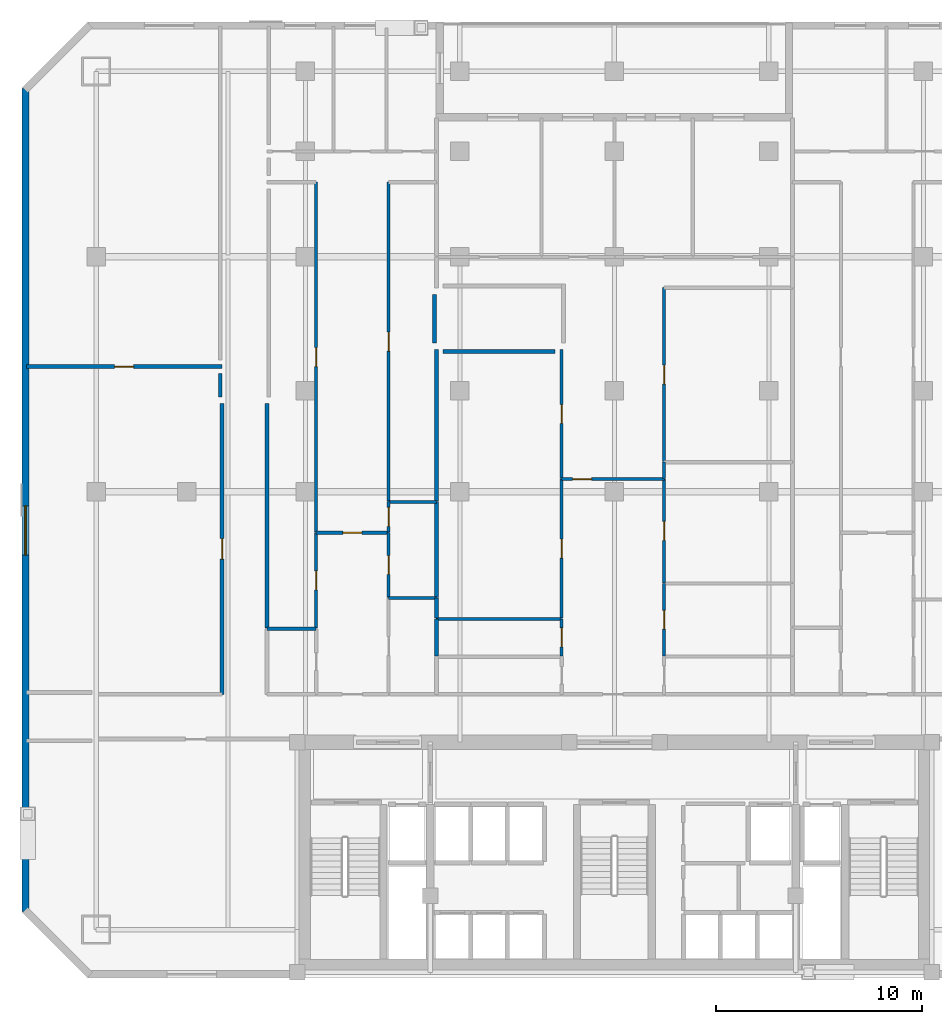
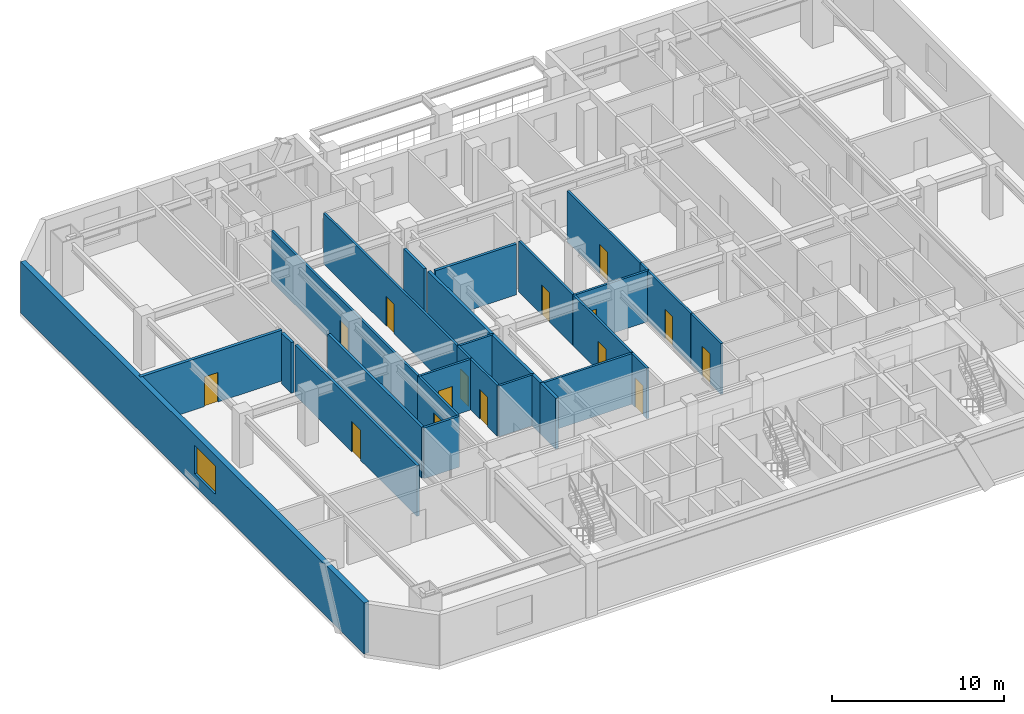
# One storey, part 4 of 9: 29 walls, 15 doors, 1 window, 16 openings.
"""IFC4 building model written with IfcOpenShell, lengths in metres."""

import ifcopenshell
import ifcopenshell.guid

model = None  # the IFC model being written
_history = None  # IfcOwnerHistory: only IFC2X3 demands one
_inside = {}  # id of a spatial element -> (the spatial element, [elements in it])
_under = {}  # id of a project, library or spatial element -> (it, [spatial elements below it])
_declared = {}  # id of a project -> (the project, [libraries it declares])
_typed = {}  # id of a type object -> (the type object, [elements of that type])
_made_of = {}  # id of a material, layer set ... -> (it, [elements and type objects made of it])


def new_model(schema):
    """Start an empty IFC model of exactly this schema.

    Asked for "IFC4X3", IfcOpenShell would pick the latest addendum, in which some entities
    have other attributes; the version numbers below select the first issue.
    IFC2X3 requires an IfcOwnerHistory on every rooted entity: one is made here for all.
    """
    global model, _history
    if schema == "IFC4X3":
        model = ifcopenshell.file(schema_version=(4, 3, 0, 0))
    else:
        model = ifcopenshell.file(schema=schema)
    _inside.clear()
    _under.clear()
    _declared.clear()
    _typed.clear()
    _made_of.clear()
    _history = None
    if model.schema == "IFC2X3":
        org = make("IfcOrganization", Name="unknown")
        user = make(
            "IfcPersonAndOrganization",
            ThePerson=make("IfcPerson", FamilyName="unknown"),
            TheOrganization=org,
        )
        app = make(
            "IfcApplication",
            ApplicationDeveloper=org,
            Version="unknown",
            ApplicationFullName="unknown",
            ApplicationIdentifier="unknown",
        )
        _history = make(
            "IfcOwnerHistory",
            OwningUser=user,
            OwningApplication=app,
            ChangeAction="ADDED",
            CreationDate=0,
        )
    return model


def make(cls, **values):
    """One entity of the class cls with the attributes given. An attribute that is None is left unset."""
    return model.create_entity(
        cls, **{name: value for name, value in values.items() if value is not None}
    )


def rooted(cls, **values):
    """An entity with a GlobalId (a new one), such as an element, a storey or a relation."""
    return make(cls, GlobalId=ifcopenshell.guid.new(), OwnerHistory=_history, **values)


def si_unit(unit_type, name, prefix=None):
    """IfcSIUnit, for example si_unit("LENGTHUNIT", "METRE", prefix="MILLI")."""
    return make("IfcSIUnit", UnitType=unit_type, Prefix=prefix, Name=name)


def assignment(units):
    """IfcUnitAssignment: the units of a project."""
    return None if units is None else make("IfcUnitAssignment", Units=units)


def point(xyz):
    """IfcCartesianPoint."""
    return None if xyz is None else make("IfcCartesianPoint", Coordinates=xyz)


def direction(xyz):
    """IfcDirection."""
    return None if xyz is None else make("IfcDirection", DirectionRatios=xyz)


def frame(location, z_axis=None, x_axis=None):
    """IfcAxis2Placement3D, a coordinate frame: its origin and axes. An axis left out is left unset."""
    return make(
        "IfcAxis2Placement3D",
        Location=point(location),
        Axis=direction(z_axis),
        RefDirection=direction(x_axis),
    )


def frame_2d(location, x_axis=None):
    """IfcAxis2Placement2D, a coordinate frame in the plane: its origin and x axis."""
    return make(
        "IfcAxis2Placement2D", Location=point(location), RefDirection=direction(x_axis)
    )


def origin():
    """The frame at (0, 0, 0) with its axes left unset."""
    return frame((0.0, 0.0, 0.0))


def place(relative_to, where):
    """IfcLocalPlacement: puts the frame where relative to a parent placement (None: the world)."""
    return make(
        "IfcLocalPlacement", PlacementRelTo=relative_to, RelativePlacement=where
    )


def context(
    kind, dimensions, precision=None, world=None, true_north=None, identifier=None
):
    """IfcGeometricRepresentationContext, for example the 3D "Model" context."""
    return make(
        "IfcGeometricRepresentationContext",
        ContextIdentifier=identifier,
        ContextType=kind,
        CoordinateSpaceDimension=dimensions,
        Precision=precision,
        WorldCoordinateSystem=world,
        TrueNorth=true_north,
    )


def subcontext(parent, identifier, kind, view, scale=None):
    """IfcGeometricRepresentationSubContext, for example "Body" below "Model"."""
    return make(
        "IfcGeometricRepresentationSubContext",
        ContextIdentifier=identifier,
        ContextType=kind,
        ParentContext=parent,
        TargetScale=scale,
        TargetView=view,
    )


def project(units=None, contexts=None):
    """IfcProject with its units and contexts."""
    return rooted(
        "IfcProject",
        Name="project",
        RepresentationContexts=contexts,
        UnitsInContext=assignment(units),
    )


def spatial(cls, under=None, at=None, **own):
    """A site, building, storey or space (cls), placed at a placement, below another one or the project."""
    s = rooted(cls, ObjectPlacement=at, **own)
    if under is not None:
        _under.setdefault(under.id(), (under, []))[1].append(s)
    return s


def profile(cls, at=None, kind="AREA", **sizes):
    """A parametric profile (cls). Its sizes go by their IFC names, for example OverallWidth=200.0."""
    return make(cls, ProfileType=kind, Position=at, **sizes)


def rectangle(**sizes):
    """IfcRectangleProfileDef."""
    return profile("IfcRectangleProfileDef", **sizes)


def extrude(swept, where, along, depth):
    """IfcExtrudedAreaSolid: the profile swept, set in the frame where, extruded along a direction by depth."""
    return make(
        "IfcExtrudedAreaSolid",
        SweptArea=swept,
        Position=where,
        ExtrudedDirection=direction(along),
        Depth=depth,
    )


def shape(context_of_items, identifier, shape_type, items):
    """IfcShapeRepresentation: the items that make up one representation, for example the "Body"."""
    return make(
        "IfcShapeRepresentation",
        ContextOfItems=context_of_items,
        RepresentationIdentifier=identifier,
        RepresentationType=shape_type,
        Items=items,
    )


def material(Name=None, Category=None):
    """IfcMaterial."""
    return make("IfcMaterial", Name=Name, Category=Category)


def layer(
    of_material, thickness, ventilated=None, Name=None, Category=None, Priority=None
):
    """IfcMaterialLayer: one layer of a wall or slab, of a material (None: an air gap)."""
    return make(
        "IfcMaterialLayer",
        Material=of_material,
        LayerThickness=thickness,
        IsVentilated=ventilated,
        Name=Name,
        Category=Category,
        Priority=Priority,
    )


def layer_set(layers, Name=None):
    """IfcMaterialLayerSet."""
    return make("IfcMaterialLayerSet", MaterialLayers=layers, LayerSetName=Name)


def made_of(thing, what):
    """Note that an element or type object is made of a material, layer set ...; save() writes the relation."""
    if what is not None:
        _made_of.setdefault(what.id(), (what, []))[1].append(thing)
    return thing


def type_object(cls, material=None, **own):
    """A type object (cls), such as IfcWallType, which elements share."""
    return made_of(rooted(cls, **own), material)


def element(
    cls,
    number,
    at=None,
    inside=None,
    cuts=None,
    type_object=None,
    material=None,
    context=None,
    identifier="Body",
    shape_type=None,
    held_by="IfcProductDefinitionShape",
    body=None,
    shapes=None,
    **own,
):
    """One element of the class cls, such as IfcWall. Its Tag is "e" and its number.

    at: its placement. inside: the storey or other place that contains it. cuts: it is an
    opening in that element (IfcRelVoidsElement). A single representation is given by context,
    identifier, shape_type and body (its items); several are given by shapes. held_by: the class
    of the entity that holds the representations. save() writes the other relations.
    """
    e = rooted(cls, Tag="e%d" % number, ObjectPlacement=at, **own)
    if body is not None:
        shapes = [shape(context, identifier, shape_type, body)]
    if shapes is not None:
        e.Representation = make(held_by, Representations=shapes)
    if inside is not None:
        _inside.setdefault(inside.id(), (inside, []))[1].append(e)
    if cuts is not None:
        rooted(
            "IfcRelVoidsElement", RelatingBuildingElement=cuts, RelatedOpeningElement=e
        )
    if type_object is not None:
        _typed.setdefault(type_object.id(), (type_object, []))[1].append(e)
    return made_of(e, material)


def fill(opening, filler):
    """IfcRelFillsElement: the door or window that sits in an opening."""
    return rooted(
        "IfcRelFillsElement",
        RelatingOpeningElement=opening,
        RelatedBuildingElement=filler,
    )


def aggregate(whole, parts):
    """IfcRelAggregates: a whole, such as a stair, and the parts it consists of."""
    return rooted("IfcRelAggregates", RelatingObject=whole, RelatedObjects=parts)


def save(model, path):
    """Write the relations noted so far, then the file.

    IfcRelAggregates (storeys below a building ...), IfcRelContainedInSpatialStructure (elements
    in a storey), IfcRelDefinesByType, IfcRelAssociatesMaterial and IfcRelDeclares: one each for
    every whole, place, type object, material and project.
    """
    for whole, parts in _under.values():
        aggregate(whole, parts)
    for where, things in _inside.values():
        rooted(
            "IfcRelContainedInSpatialStructure",
            RelatedElements=things,
            RelatingStructure=where,
        )
    for kind, things in _typed.values():
        rooted("IfcRelDefinesByType", RelatedObjects=things, RelatingType=kind)
    for what, things in _made_of.values():
        rooted("IfcRelAssociatesMaterial", RelatedObjects=things, RelatingMaterial=what)
    for by, libraries in _declared.values():
        rooted("IfcRelDeclares", RelatingContext=by, RelatedDefinitions=libraries)
    model.write(path)


model = new_model("IFC4")

# Units and contexts
model_context = context("Model", 3, precision=1e-05, world=origin(), true_north=direction((0.0, 1.0)))
body_context = subcontext(model_context, "Body", "Model", "MODEL_VIEW")
ifc_project = project(units=[si_unit("LENGTHUNIT", "METRE"), si_unit("AREAUNIT", "SQUARE_METRE"), si_unit("VOLUMEUNIT", "CUBIC_METRE"), si_unit("PLANEANGLEUNIT", "RADIAN"), si_unit("MASSUNIT", "GRAM", prefix="KILO")], contexts=[model_context])

# Site, building, storey
site_placement = place(None, origin())
site = spatial("IfcSite", under=ifc_project, at=site_placement, CompositionType="ELEMENT")
building_placement = place(site_placement, origin())
building = spatial("IfcBuilding", under=site, at=building_placement, Name="Ventersveld Concourse Tower", CompositionType="ELEMENT")
storey_placement = place(building_placement, frame((0.0, 0.0, 68.300048828125)))
storey = spatial("IfcBuildingStorey", under=building, at=storey_placement, Name="L16", CompositionType="ELEMENT", Elevation=68.300048828125)

# Wall, opening, door
ifc_material_1 = material(Name="Fire-rated autoclaved aerated masonry blockwork", Category="masonry")
ifc_layer_1 = layer(ifc_material_1, 0.179931640625)
ifc_layer_set_1 = layer_set([ifc_layer_1], Name="Fire-rated autoclaved aerated masonry blockwork")
wall_type_1 = type_object("IfcWallType", Name="WL-CORR-180", PredefinedType="PARTITIONING", material=ifc_layer_set_1)
wall_1_placement = place(storey_placement, frame((9.7099609375, 13.764892578125, 0.0), z_axis=(0.0, 0.0, 1.0), x_axis=(0.0, 1.0, 0.0)))
wall_1 = element("IfcWall", 1, at=wall_1_placement, inside=storey, type_object=wall_type_1, Name="L16 Interior Partition SP-L16-COR-SP-L16-NWLNG1", PredefinedType="PARTITIONING", context=body_context, shape_type="SweptSolid", body=[
    extrude(rectangle(XDim=14.130126953125, YDim=0.179931640625, at=frame_2d((7.06494140625, 0.0))), origin(), (0.0, 0.0, 1.0), 3.599853515625),
])
opening_1_placement = place(wall_1_placement, frame((6.56494140625, 0.0, 0.0)))
opening_1 = element("IfcOpeningElement", 2, at=opening_1_placement, cuts=wall_1, Name="Opening FD3", PredefinedType="OPENING", context=body_context, shape_type="SweptSolid", body=[
    extrude(rectangle(XDim=1.0, YDim=2.14990234375, at=frame_2d((0.5, 1.074951171875))), frame((0.0, 0.10009765625, 0.0), z_axis=(0.0, -1.0, 0.0), x_axis=(1.0, 0.0, 0.0)), (0.0, 0.0, 1.0), 0.199951171875),
])
ifc_material_2 = material(Name="Solid-core hardwood veneer timber", Category="wood")
door_type_1 = type_object("IfcDoorType", Name="DR-FLAT-100", OperationType="NOTDEFINED", PredefinedType="DOOR", material=ifc_material_2)
door_1_placement = place(opening_1_placement, origin())
door_1 = element("IfcDoor", 3, at=door_1_placement, inside=storey, type_object=door_type_1, Name="L16 Interior Door SP-L16-COR to SP-L16-NWLNG1 (D-L16-0727)", OperationType="SINGLE_SWING_LEFT", OverallHeight=2.14990234375, OverallWidth=1.0, PredefinedType="DOOR", context=body_context, shape_type="SweptSolid", body=[
    extrude(rectangle(XDim=1.0, YDim=2.14990234375, at=frame_2d((0.5, 1.074951171875))), frame((0.0, 0.02490234375, 0.0), z_axis=(0.0, -1.0, 0.0), x_axis=(1.0, 0.0, 0.0)), (0.0, 0.0, 1.0), 0.050048828125),
])
fill(opening_1, door_1)

# Walls
wall_2_placement = place(storey_placement, frame((11.889892578125, 16.979248046875, 0.0), z_axis=(0.0, 0.0, 1.0), x_axis=(0.0, 1.0, 0.0)))
element("IfcWall", 4, at=wall_2_placement, inside=storey, type_object=wall_type_1, Name="L16 Interior Partition SP-L16-COR-SP-L16-16CW-OFFL0", PredefinedType="PARTITIONING", context=body_context, shape_type="SweptSolid", body=[
    extrude(rectangle(XDim=10.915771484375, YDim=0.179931640625, at=frame_2d((5.4580078125, 0.0))), origin(), (0.0, 0.0, 1.0), 3.599853515625),
])
wall_3_placement = place(storey_placement, frame((9.6201171875, 29.344970703125, 0.0), z_axis=(0.0, 0.0, 1.0), x_axis=(0.0, -1.0, 0.0)))
element("IfcWall", 5, at=wall_3_placement, inside=storey, type_object=wall_type_1, Name="L16 Room Enclosure Wall SP-L16-NWLNG1", PredefinedType="PARTITIONING", context=body_context, shape_type="SweptSolid", body=[
    extrude(rectangle(XDim=1.135009765625, YDim=0.179931640625, at=frame_2d((0.5673828125, 0.0))), origin(), (0.0, 0.0, 1.0), 3.599853515625),
])
wall_4_placement = place(storey_placement, frame((20.02001953125, 33.18017578125, 0.0), z_axis=(0.0, 0.0, 1.0), x_axis=(0.0, -1.0, 0.0)))
element("IfcWall", 6, at=wall_4_placement, inside=storey, type_object=wall_type_1, Name="L16 Room Enclosure Wall SP-L16-16CW-DENR", PredefinedType="PARTITIONING", context=body_context, shape_type="SweptSolid", body=[
    extrude(rectangle(XDim=2.366455078125, YDim=0.179931640625, at=frame_2d((1.18310546875, 0.0))), origin(), (0.0, 0.0, 1.0), 3.599853515625),
])
wall_5_placement = place(storey_placement, frame((20.43505859375, 30.40380859375, 0.0), z_axis=(0.0, 0.0, 1.0), x_axis=(1.0, 0.0, 0.0)))
element("IfcWall", 7, at=wall_5_placement, inside=storey, type_object=wall_type_1, Name="L16 Room Enclosure Wall SP-L16-16CM-DENL", PredefinedType="PARTITIONING", context=body_context, shape_type="SweptSolid", body=[
    extrude(rectangle(XDim=5.428955078125, YDim=0.179931640625, at=frame_2d((2.71435546875, 0.0))), origin(), (0.0, 0.0, 1.0), 3.599853515625),
])

# Wall, opening, door
ifc_layer_2 = layer(ifc_material_1, 0.199951171875)
ifc_layer_set_2 = layer_set([ifc_layer_2], Name="Fire-rated autoclaved aerated masonry blockwork")
wall_type_2 = type_object("IfcWallType", Name="WL-DEMISE-200", PredefinedType="PARTITIONING", material=ifc_layer_set_2)
wall_6_placement = place(storey_placement, frame((0.2099609375, 29.669921875, 0.0), z_axis=(0.0, 0.0, 1.0), x_axis=(1.0, 0.0, 0.0)))
wall_6 = element("IfcWall", 8, at=wall_6_placement, inside=storey, type_object=wall_type_2, Name="L16 Interior Partition SP-L16-NWLNG1-SP-L16-NWLNG2", PredefinedType="PARTITIONING", context=body_context, shape_type="SweptSolid", body=[
    extrude(rectangle(XDim=9.505126953125, YDim=0.199951171875, at=frame_2d((4.75244140625, 0.0))), origin(), (0.0, 0.0, 1.0), 3.599853515625),
])
opening_2_placement = place(wall_6_placement, frame((4.29248046875, 0.0, 0.0)))
opening_2 = element("IfcOpeningElement", 9, at=opening_2_placement, cuts=wall_6, Name="Opening ID1", PredefinedType="OPENING", context=body_context, shape_type="SweptSolid", body=[
    extrude(rectangle(XDim=0.919921875, YDim=2.10009765625, at=frame_2d((0.4599609375, 1.050048828125))), frame((0.0, 0.10986328125, 0.0), z_axis=(0.0, -1.0, 0.0), x_axis=(1.0, 0.0, 0.0)), (0.0, 0.0, 1.0), 0.219970703125),
])
door_type_2 = type_object("IfcDoorType", Name="DR-ROOM-092", OperationType="NOTDEFINED", PredefinedType="DOOR", material=ifc_material_2)
door_2_placement = place(opening_2_placement, origin())
door_2 = element("IfcDoor", 10, at=door_2_placement, inside=storey, type_object=door_type_2, Name="L16 Interior Door SP-L16-NWLNG1 to SP-L16-NWLNG2 (D-L16-0732)", OperationType="SINGLE_SWING_RIGHT", OverallHeight=2.10009765625, OverallWidth=0.919921875, PredefinedType="DOOR", context=body_context, shape_type="SweptSolid", body=[
    extrude(rectangle(XDim=0.919921875, YDim=2.10009765625, at=frame_2d((0.4599609375, 1.050048828125))), frame((0.0, 0.02490234375, 0.0), z_axis=(0.0, -1.0, 0.0), x_axis=(1.0, 0.0, 0.0)), (0.0, 0.0, 1.0), 0.050048828125),
])
fill(opening_2, door_2)

# Walls
wall_7_placement = place(storey_placement, frame((20.110107421875, 15.635009765625, 0.0), z_axis=(0.0, 0.0, 1.0), x_axis=(0.0, 1.0, 0.0)))
element("IfcWall", 11, at=wall_7_placement, inside=storey, type_object=wall_type_2, Name="L16 Interior Partition SP-L16-16CW-KIT-SP-L16-16CM-PANL0", PredefinedType="PARTITIONING", context=body_context, shape_type="SweptSolid", body=[
    extrude(rectangle(XDim=1.800048828125, YDim=0.199951171875, at=frame_2d((0.89990234375, 0.0))), origin(), (0.0, 0.0, 1.0), 3.599853515625),
])
wall_8_placement = place(storey_placement, frame((20.110107421875, 17.465087890625, 0.0), z_axis=(0.0, 0.0, 1.0), x_axis=(0.0, 1.0, 0.0)))
element("IfcWall", 12, at=wall_8_placement, inside=storey, type_object=wall_type_2, Name="L16 Interior Partition SP-L16-16CW-KIT-SP-L16-16CM-DENL", PredefinedType="PARTITIONING", context=body_context, shape_type="SweptSolid", body=[
    extrude(rectangle(XDim=0.981201171875, YDim=0.199951171875, at=frame_2d((0.49072265625, 0.0))), origin(), (0.0, 0.0, 1.0), 3.599853515625),
])
wall_9_placement = place(storey_placement, frame((20.110107421875, 18.476318359375, 0.0), z_axis=(0.0, 0.0, 1.0), x_axis=(0.0, 1.0, 0.0)))
element("IfcWall", 13, at=wall_9_placement, inside=storey, type_object=wall_type_2, Name="L16 Interior Partition SP-L16-16CW-PANR1-SP-L16-16CM-DENL", PredefinedType="PARTITIONING", context=body_context, shape_type="SweptSolid", body=[
    extrude(rectangle(XDim=4.6416015625, YDim=0.199951171875, at=frame_2d((2.32080078125, 0.0))), origin(), (0.0, 0.0, 1.0), 3.599853515625),
])
wall_10_placement = place(storey_placement, frame((20.110107421875, 23.147705078125, 0.0), z_axis=(0.0, 0.0, 1.0), x_axis=(0.0, 1.0, 0.0)))
element("IfcWall", 14, at=wall_10_placement, inside=storey, type_object=wall_type_2, Name="L16 Interior Partition SP-L16-16CW-DENR-SP-L16-16CM-DENL", PredefinedType="PARTITIONING", context=body_context, shape_type="SweptSolid", body=[
    extrude(rectangle(XDim=7.35107421875, YDim=0.199951171875, at=frame_2d((3.675537109375, 0.0))), origin(), (0.0, 0.0, 1.0), 3.599853515625),
])

# Wall, opening, door
ifc_material_3 = material(Name="Autoclaved aerated masonry blockwork", Category="masonry")
ifc_layer_3 = layer(ifc_material_3, 0.14990234375)
ifc_layer_set_3 = layer_set([ifc_layer_3], Name="Autoclaved aerated masonry blockwork")
wall_type_3 = type_object("IfcWallType", Name="WL-INT-150", PredefinedType="PARTITIONING", material=ifc_layer_set_3)
wall_11_placement = place(storey_placement, frame((14.269287109375, 21.610107421875, 0.0), z_axis=(0.0, 0.0, 1.0), x_axis=(1.0, 0.0, 0.0)))
wall_11 = element("IfcWall", 15, at=wall_11_placement, inside=storey, type_object=wall_type_3, Name="L16 Interior Partition SP-L16-16CW-FOY-SP-L16-16CW-LIV", PredefinedType="PARTITIONING", context=body_context, shape_type="SweptSolid", body=[
    extrude(rectangle(XDim=3.5283203125, YDim=0.14990234375, at=frame_2d((1.76416015625, 0.0))), origin(), (0.0, 0.0, 1.0), 3.599853515625),
])
opening_3_placement = place(wall_11_placement, frame((1.30419921875, 0.0, 0.0)))
opening_3 = element("IfcOpeningElement", 16, at=opening_3_placement, cuts=wall_11, Name="Opening ID1", PredefinedType="OPENING", context=body_context, shape_type="SweptSolid", body=[
    extrude(rectangle(XDim=0.919921875, YDim=2.10009765625, at=frame_2d((0.4599609375, 1.050048828125))), frame((0.0, 0.0849609375, 0.0), z_axis=(0.0, -1.0, 0.0), x_axis=(1.0, 0.0, 0.0)), (0.0, 0.0, 1.0), 0.169921875),
])
door_3_placement = place(opening_3_placement, origin())
door_3 = element("IfcDoor", 17, at=door_3_placement, inside=storey, type_object=door_type_2, Name="L16 Interior Door SP-L16-16CW-FOY to SP-L16-16CW-LIV (D-L16-0734)", OperationType="SINGLE_SWING_RIGHT", OverallHeight=2.10009765625, OverallWidth=0.919921875, PredefinedType="DOOR", context=body_context, shape_type="SweptSolid", body=[
    extrude(rectangle(XDim=0.919921875, YDim=2.10009765625, at=frame_2d((0.4599609375, 1.050048828125))), frame((0.0, 0.02490234375, 0.0), z_axis=(0.0, -1.0, 0.0), x_axis=(1.0, 0.0, 0.0)), (0.0, 0.0, 1.0), 0.050048828125),
])
fill(opening_3, door_3)

wall_12_placement = place(storey_placement, frame((14.274169921875, 16.979248046875, 0.0), z_axis=(0.0, 0.0, 1.0), x_axis=(0.0, 1.0, 0.0)))
wall_12 = element("IfcWall", 18, at=wall_12_placement, inside=storey, type_object=wall_type_3, Name="L16 Interior Partition SP-L16-16CW-FOY-SP-L16-16CW-OFFL0", PredefinedType="PARTITIONING", context=body_context, shape_type="SweptSolid", body=[
    extrude(rectangle(XDim=4.6357421875, YDim=0.14990234375, at=frame_2d((2.31787109375, 0.0))), origin(), (0.0, 0.0, 1.0), 3.599853515625),
])
opening_4_placement = place(wall_12_placement, frame((1.85791015625, 0.0, 0.0)))
opening_4 = element("IfcOpeningElement", 19, at=opening_4_placement, cuts=wall_12, Name="Opening ID1", PredefinedType="OPENING", context=body_context, shape_type="SweptSolid", body=[
    extrude(rectangle(XDim=0.919921875, YDim=2.10009765625, at=frame_2d((0.4599609375, 1.050048828125))), frame((0.0, 0.0849609375, 0.0), z_axis=(0.0, -1.0, 0.0), x_axis=(1.0, 0.0, 0.0)), (0.0, 0.0, 1.0), 0.169921875),
])
door_4_placement = place(opening_4_placement, origin())
door_4 = element("IfcDoor", 20, at=door_4_placement, inside=storey, type_object=door_type_2, Name="L16 Interior Door SP-L16-16CW-FOY to SP-L16-16CW-OFFL0 (D-L16-0736)", OperationType="SINGLE_SWING_RIGHT", OverallHeight=2.10009765625, OverallWidth=0.919921875, PredefinedType="DOOR", context=body_context, shape_type="SweptSolid", body=[
    extrude(rectangle(XDim=0.919921875, YDim=2.10009765625, at=frame_2d((0.4599609375, 1.050048828125))), frame((0.0, 0.02490234375, 0.0), z_axis=(0.0, -1.0, 0.0), x_axis=(1.0, 0.0, 0.0)), (0.0, 0.0, 1.0), 0.050048828125),
])
fill(opening_4, door_4)

wall_13_placement = place(storey_placement, frame((17.79248046875, 18.476318359375, 0.0), z_axis=(0.0, 0.0, 1.0), x_axis=(0.0, 1.0, 0.0)))
wall_13 = element("IfcWall", 21, at=wall_13_placement, inside=storey, type_object=wall_type_3, Name="L16 Interior Partition SP-L16-16CW-FOY-SP-L16-16CW-PANR1", PredefinedType="PARTITIONING", context=body_context, shape_type="SweptSolid", body=[
    extrude(rectangle(XDim=3.138671875, YDim=0.14990234375, at=frame_2d((1.5693359375, 0.0))), origin(), (0.0, 0.0, 1.0), 3.599853515625),
])
opening_5_placement = place(wall_13_placement, frame((1.109375, 0.0, 0.0)))
opening_5 = element("IfcOpeningElement", 22, at=opening_5_placement, cuts=wall_13, Name="Opening ID1", PredefinedType="OPENING", context=body_context, shape_type="SweptSolid", body=[
    extrude(rectangle(XDim=0.919921875, YDim=2.10009765625, at=frame_2d((0.4599609375, 1.050048828125))), frame((0.0, 0.0849609375, 0.0), z_axis=(0.0, -1.0, 0.0), x_axis=(1.0, 0.0, 0.0)), (0.0, 0.0, 1.0), 0.169921875),
])
door_5_placement = place(opening_5_placement, origin())
door_5 = element("IfcDoor", 23, at=door_5_placement, inside=storey, type_object=door_type_2, Name="L16 Interior Door SP-L16-16CW-FOY to SP-L16-16CW-PANR1 (D-L16-0738)", OperationType="SINGLE_SWING_RIGHT", OverallHeight=2.10009765625, OverallWidth=0.919921875, PredefinedType="DOOR", context=body_context, shape_type="SweptSolid", body=[
    extrude(rectangle(XDim=0.919921875, YDim=2.10009765625, at=frame_2d((0.4599609375, 1.050048828125))), frame((0.0, 0.02490234375, 0.0), z_axis=(0.0, -1.0, 0.0), x_axis=(1.0, 0.0, 0.0)), (0.0, 0.0, 1.0), 0.050048828125),
])
fill(opening_5, door_5)

wall_14_placement = place(storey_placement, frame((14.274169921875, 21.64501953125, 0.0), z_axis=(0.0, 0.0, 1.0), x_axis=(0.0, 1.0, 0.0)))
wall_14 = element("IfcWall", 24, at=wall_14_placement, inside=storey, type_object=wall_type_3, Name="L16 Interior Partition SP-L16-16CW-LIV-SP-L16-16CW-OFFL0", PredefinedType="PARTITIONING", context=body_context, shape_type="SweptSolid", body=[
    extrude(rectangle(XDim=16.97998046875, YDim=0.14990234375, at=frame_2d((8.489990234375, 0.0))), origin(), (0.0, 0.0, 1.0), 3.599853515625),
])
opening_6_placement = place(wall_14_placement, frame((8.030029296875, 0.0, 0.0)))
opening_6 = element("IfcOpeningElement", 25, at=opening_6_placement, cuts=wall_14, Name="Opening ID1", PredefinedType="OPENING", context=body_context, shape_type="SweptSolid", body=[
    extrude(rectangle(XDim=0.919921875, YDim=2.10009765625, at=frame_2d((0.4599609375, 1.050048828125))), frame((0.0, 0.0849609375, 0.0), z_axis=(0.0, -1.0, 0.0), x_axis=(1.0, 0.0, 0.0)), (0.0, 0.0, 1.0), 0.169921875),
])
door_6_placement = place(opening_6_placement, origin())
door_6 = element("IfcDoor", 26, at=door_6_placement, inside=storey, type_object=door_type_2, Name="L16 Interior Door SP-L16-16CW-LIV to SP-L16-16CW-OFFL0 (D-L16-0739)", OperationType="SINGLE_SWING_LEFT", OverallHeight=2.10009765625, OverallWidth=0.919921875, PredefinedType="DOOR", context=body_context, shape_type="SweptSolid", body=[
    extrude(rectangle(XDim=0.919921875, YDim=2.10009765625, at=frame_2d((0.4599609375, 1.050048828125))), frame((0.0, 0.02490234375, 0.0), z_axis=(0.0, -1.0, 0.0), x_axis=(1.0, 0.0, 0.0)), (0.0, 0.0, 1.0), 0.050048828125),
])
fill(opening_6, door_6)

wall_15_placement = place(storey_placement, frame((17.79248046875, 21.64501953125, 0.0), z_axis=(0.0, 0.0, 1.0), x_axis=(0.0, 1.0, 0.0)))
wall_15 = element("IfcWall", 27, at=wall_15_placement, inside=storey, type_object=wall_type_3, Name="L16 Interior Partition SP-L16-16CW-LIV-SP-L16-16CW-PANR1", PredefinedType="PARTITIONING", context=body_context, shape_type="SweptSolid", body=[
    extrude(rectangle(XDim=1.472900390625, YDim=0.14990234375, at=frame_2d((0.736328125, 0.0))), origin(), (0.0, 0.0, 1.0), 3.599853515625),
])
opening_7_placement = place(wall_15_placement, frame((0.2763671875, 0.0, 0.0)))
opening_7 = element("IfcOpeningElement", 28, at=opening_7_placement, cuts=wall_15, Name="Opening ID1", PredefinedType="OPENING", context=body_context, shape_type="SweptSolid", body=[
    extrude(rectangle(XDim=0.919921875, YDim=2.10009765625, at=frame_2d((0.4599609375, 1.050048828125))), frame((0.0, 0.0849609375, 0.0), z_axis=(0.0, -1.0, 0.0), x_axis=(1.0, 0.0, 0.0)), (0.0, 0.0, 1.0), 0.169921875),
])
door_7_placement = place(opening_7_placement, origin())
door_7 = element("IfcDoor", 29, at=door_7_placement, inside=storey, type_object=door_type_2, Name="L16 Interior Door SP-L16-16CW-LIV to SP-L16-16CW-PANR1 (D-L16-0740)", OperationType="SINGLE_SWING_RIGHT", OverallHeight=2.10009765625, OverallWidth=0.919921875, PredefinedType="DOOR", context=body_context, shape_type="SweptSolid", body=[
    extrude(rectangle(XDim=0.919921875, YDim=2.10009765625, at=frame_2d((0.4599609375, 1.050048828125))), frame((0.0, 0.02490234375, 0.0), z_axis=(0.0, -1.0, 0.0), x_axis=(1.0, 0.0, 0.0)), (0.0, 0.0, 1.0), 0.050048828125),
])
fill(opening_7, door_7)

wall_16_placement = place(storey_placement, frame((17.79248046875, 23.147705078125, 0.0), z_axis=(0.0, 0.0, 1.0), x_axis=(0.0, 1.0, 0.0)))
wall_16 = element("IfcWall", 30, at=wall_16_placement, inside=storey, type_object=wall_type_3, Name="L16 Interior Partition SP-L16-16CW-LIV-SP-L16-16CW-DENR", PredefinedType="PARTITIONING", context=body_context, shape_type="SweptSolid", body=[
    extrude(rectangle(XDim=15.477294921875, YDim=0.14990234375, at=frame_2d((7.73876953125, 0.0))), origin(), (0.0, 0.0, 1.0), 3.599853515625),
])
opening_8_placement = place(wall_16_placement, frame((7.278564453125, 0.0, 0.0)))
opening_8 = element("IfcOpeningElement", 31, at=opening_8_placement, cuts=wall_16, Name="Opening ID1", PredefinedType="OPENING", context=body_context, shape_type="SweptSolid", body=[
    extrude(rectangle(XDim=0.919921875, YDim=2.10009765625, at=frame_2d((0.4599609375, 1.050048828125))), frame((0.0, 0.0849609375, 0.0), z_axis=(0.0, -1.0, 0.0), x_axis=(1.0, 0.0, 0.0)), (0.0, 0.0, 1.0), 0.169921875),
])
door_8_placement = place(opening_8_placement, origin())
door_8 = element("IfcDoor", 32, at=door_8_placement, inside=storey, type_object=door_type_2, Name="L16 Interior Door SP-L16-16CW-LIV to SP-L16-16CW-DENR (D-L16-0741)", OperationType="SINGLE_SWING_LEFT", OverallHeight=2.10009765625, OverallWidth=0.919921875, PredefinedType="DOOR", context=body_context, shape_type="SweptSolid", body=[
    extrude(rectangle(XDim=0.919921875, YDim=2.10009765625, at=frame_2d((0.4599609375, 1.050048828125))), frame((0.0, 0.02490234375, 0.0), z_axis=(0.0, -1.0, 0.0), x_axis=(1.0, 0.0, 0.0)), (0.0, 0.0, 1.0), 0.050048828125),
])
fill(opening_8, door_8)

# Walls
for number, where, z_axis, x_axis, name in (
    (33, (17.78759765625, 18.44140625, 0.0), (0.0, 0.0, 1.0), (1.0, 0.0, 0.0), "L16 Interior Partition SP-L16-16CW-KIT-SP-L16-16CW-PANR1"),
    (34, (17.78759765625, 23.11279296875, 0.0), (0.0, 0.0, 1.0), (1.0, 0.0, 0.0), "L16 Interior Partition SP-L16-16CW-PANR1-SP-L16-16CW-DENR"),
):
    element("IfcWall", number, at=place(storey_placement, frame(where, z_axis=z_axis, x_axis=x_axis)), inside=storey, type_object=wall_type_3, Name=name, PredefinedType="PARTITIONING", context=body_context, shape_type="SweptSolid", body=[
        extrude(rectangle(XDim=2.327392578125, YDim=0.14990234375, at=frame_2d((1.16357421875, 0.0))), origin(), (0.0, 0.0, 1.0), 3.599853515625),
    ])

# Wall, opening, door
wall_17_placement = place(storey_placement, frame((26.183837890625, 24.2158203125, 0.0), z_axis=(0.0, 0.0, 1.0), x_axis=(1.0, 0.0, 0.0)))
wall_17 = element("IfcWall", 35, at=wall_17_placement, inside=storey, type_object=wall_type_3, Name="L16 Interior Partition SP-L16-16CM-FOY-SP-L16-16CM-LIV", PredefinedType="PARTITIONING", context=body_context, shape_type="SweptSolid", body=[
    extrude(rectangle(XDim=4.989990234375, YDim=0.14990234375, at=frame_2d((2.4951171875, 0.0))), origin(), (0.0, 0.0, 1.0), 3.599853515625),
])
opening_9_placement = place(wall_17_placement, frame((0.5380859375, 0.0, 0.0)))
opening_9 = element("IfcOpeningElement", 36, at=opening_9_placement, cuts=wall_17, Name="Opening ID1", PredefinedType="OPENING", context=body_context, shape_type="SweptSolid", body=[
    extrude(rectangle(XDim=0.919921875, YDim=2.10009765625, at=frame_2d((0.4599609375, 1.050048828125))), frame((0.0, 0.0849609375, 0.0), z_axis=(0.0, -1.0, 0.0), x_axis=(1.0, 0.0, 0.0)), (0.0, 0.0, 1.0), 0.169921875),
])
door_9_placement = place(opening_9_placement, origin())
door_9 = element("IfcDoor", 37, at=door_9_placement, inside=storey, type_object=door_type_2, Name="L16 Interior Door SP-L16-16CM-FOY to SP-L16-16CM-LIV (D-L16-0754)", OperationType="SINGLE_SWING_RIGHT", OverallHeight=2.10009765625, OverallWidth=0.919921875, PredefinedType="DOOR", context=body_context, shape_type="SweptSolid", body=[
    extrude(rectangle(XDim=0.919921875, YDim=2.10009765625, at=frame_2d((0.4599609375, 1.050048828125))), frame((0.0, 0.02490234375, 0.0), z_axis=(0.0, -1.0, 0.0), x_axis=(1.0, 0.0, 0.0)), (0.0, 0.0, 1.0), 0.050048828125),
])
fill(opening_9, door_9)

wall_18_placement = place(storey_placement, frame((26.18896484375, 15.635009765625, 0.0), z_axis=(0.0, 0.0, 1.0), x_axis=(0.0, 1.0, 0.0)))
wall_18 = element("IfcWall", 38, at=wall_18_placement, inside=storey, type_object=wall_type_3, Name="L16 Interior Partition SP-L16-16CM-FOY-SP-L16-16CM-PANL0", PredefinedType="PARTITIONING", context=body_context, shape_type="SweptSolid", body=[
    extrude(rectangle(XDim=1.800048828125, YDim=0.14990234375, at=frame_2d((0.89990234375, 0.0))), origin(), (0.0, 0.0, 1.0), 3.599853515625),
])
opening_10_placement = place(wall_18_placement, frame((0.43994140625, 0.0, 0.0)))
opening_10 = element("IfcOpeningElement", 39, at=opening_10_placement, cuts=wall_18, Name="Opening ID1", PredefinedType="OPENING", context=body_context, shape_type="SweptSolid", body=[
    extrude(rectangle(XDim=0.919921875, YDim=2.10009765625, at=frame_2d((0.4599609375, 1.050048828125))), frame((0.0, 0.0849609375, 0.0), z_axis=(0.0, -1.0, 0.0), x_axis=(1.0, 0.0, 0.0)), (0.0, 0.0, 1.0), 0.169921875),
])
door_10_placement = place(opening_10_placement, origin())
door_10 = element("IfcDoor", 40, at=door_10_placement, inside=storey, type_object=door_type_2, Name="L16 Interior Door SP-L16-16CM-FOY to SP-L16-16CM-PANL0 (D-L16-0756)", OperationType="SINGLE_SWING_RIGHT", OverallHeight=2.10009765625, OverallWidth=0.919921875, PredefinedType="DOOR", context=body_context, shape_type="SweptSolid", body=[
    extrude(rectangle(XDim=0.919921875, YDim=2.10009765625, at=frame_2d((0.4599609375, 1.050048828125))), frame((0.0, 0.02490234375, 0.0), z_axis=(0.0, -1.0, 0.0), x_axis=(1.0, 0.0, 0.0)), (0.0, 0.0, 1.0), 0.050048828125),
])
fill(opening_10, door_10)

wall_19_placement = place(storey_placement, frame((26.18896484375, 17.465087890625, 0.0), z_axis=(0.0, 0.0, 1.0), x_axis=(0.0, 1.0, 0.0)))
wall_19 = element("IfcWall", 41, at=wall_19_placement, inside=storey, type_object=wall_type_3, Name="L16 Interior Partition SP-L16-16CM-FOY-SP-L16-16CM-DENL", PredefinedType="PARTITIONING", context=body_context, shape_type="SweptSolid", body=[
    extrude(rectangle(XDim=6.755615234375, YDim=0.14990234375, at=frame_2d((3.3779296875, 0.0))), origin(), (0.0, 0.0, 1.0), 3.599853515625),
])
opening_11_placement = place(wall_19_placement, frame((2.91796875, 0.0, 0.0)))
opening_11 = element("IfcOpeningElement", 42, at=opening_11_placement, cuts=wall_19, Name="Opening ID1", PredefinedType="OPENING", context=body_context, shape_type="SweptSolid", body=[
    extrude(rectangle(XDim=0.919921875, YDim=2.10009765625, at=frame_2d((0.4599609375, 1.050048828125))), frame((0.0, 0.0849609375, 0.0), z_axis=(0.0, -1.0, 0.0), x_axis=(1.0, 0.0, 0.0)), (0.0, 0.0, 1.0), 0.169921875),
])
door_11_placement = place(opening_11_placement, origin())
door_11 = element("IfcDoor", 43, at=door_11_placement, inside=storey, type_object=door_type_2, Name="L16 Interior Door SP-L16-16CM-FOY to SP-L16-16CM-DENL (D-L16-0757)", OperationType="SINGLE_SWING_LEFT", OverallHeight=2.10009765625, OverallWidth=0.919921875, PredefinedType="DOOR", context=body_context, shape_type="SweptSolid", body=[
    extrude(rectangle(XDim=0.919921875, YDim=2.10009765625, at=frame_2d((0.4599609375, 1.050048828125))), frame((0.0, 0.02490234375, 0.0), z_axis=(0.0, -1.0, 0.0), x_axis=(1.0, 0.0, 0.0)), (0.0, 0.0, 1.0), 0.050048828125),
])
fill(opening_11, door_11)

wall_20_placement = place(storey_placement, frame((31.1689453125, 15.635009765625, 0.0), z_axis=(0.0, 0.0, 1.0), x_axis=(0.0, 1.0, 0.0)))
wall_20 = element("IfcWall", 44, at=wall_20_placement, inside=storey, type_object=wall_type_3, Name="L16 Interior Partition SP-L16-16CM-FOY-SP-L16-16CM-SEMR1", PredefinedType="PARTITIONING", context=body_context, shape_type="SweptSolid", body=[
    extrude(rectangle(XDim=3.5087890625, YDim=0.14990234375, at=frame_2d((1.75439453125, 0.0))), origin(), (0.0, 0.0, 1.0), 3.599853515625),
])
opening_12_placement = place(wall_20_placement, frame((1.29443359375, 0.0, 0.0)))
opening_12 = element("IfcOpeningElement", 45, at=opening_12_placement, cuts=wall_20, Name="Opening ID1", PredefinedType="OPENING", context=body_context, shape_type="SweptSolid", body=[
    extrude(rectangle(XDim=0.919921875, YDim=2.10009765625, at=frame_2d((0.4599609375, 1.050048828125))), frame((0.0, 0.0849609375, 0.0), z_axis=(0.0, -1.0, 0.0), x_axis=(1.0, 0.0, 0.0)), (0.0, 0.0, 1.0), 0.169921875),
])
door_12_placement = place(opening_12_placement, origin())
door_12 = element("IfcDoor", 46, at=door_12_placement, inside=storey, type_object=door_type_2, Name="L16 Interior Door SP-L16-16CM-FOY to SP-L16-16CM-SEMR1 (D-L16-0759)", OperationType="SINGLE_SWING_LEFT", OverallHeight=2.10009765625, OverallWidth=0.919921875, PredefinedType="DOOR", context=body_context, shape_type="SweptSolid", body=[
    extrude(rectangle(XDim=0.919921875, YDim=2.10009765625, at=frame_2d((0.4599609375, 1.050048828125))), frame((0.0, 0.02490234375, 0.0), z_axis=(0.0, -1.0, 0.0), x_axis=(1.0, 0.0, 0.0)), (0.0, 0.0, 1.0), 0.050048828125),
])
fill(opening_12, door_12)

wall_21_placement = place(storey_placement, frame((31.1689453125, 19.173828125, 0.0), z_axis=(0.0, 0.0, 1.0), x_axis=(0.0, 1.0, 0.0)))
wall_21 = element("IfcWall", 47, at=wall_21_placement, inside=storey, type_object=wall_type_3, Name="L16 Interior Partition SP-L16-16CM-FOY-SP-L16-16CM-DENS", PredefinedType="PARTITIONING", context=body_context, shape_type="SweptSolid", body=[
    extrude(rectangle(XDim=5.046875, YDim=0.14990234375, at=frame_2d((2.5234375, 0.0))), origin(), (0.0, 0.0, 1.0), 3.599853515625),
])
opening_13_placement = place(wall_21_placement, frame((2.0634765625, 0.0, 0.0)))
opening_13 = element("IfcOpeningElement", 48, at=opening_13_placement, cuts=wall_21, Name="Opening ID1", PredefinedType="OPENING", context=body_context, shape_type="SweptSolid", body=[
    extrude(rectangle(XDim=0.919921875, YDim=2.10009765625, at=frame_2d((0.4599609375, 1.050048828125))), frame((0.0, 0.0849609375, 0.0), z_axis=(0.0, -1.0, 0.0), x_axis=(1.0, 0.0, 0.0)), (0.0, 0.0, 1.0), 0.169921875),
])
door_13_placement = place(opening_13_placement, origin())
door_13 = element("IfcDoor", 49, at=door_13_placement, inside=storey, type_object=door_type_2, Name="L16 Interior Door SP-L16-16CM-FOY to SP-L16-16CM-DENS (D-L16-0760)", OperationType="SINGLE_SWING_RIGHT", OverallHeight=2.10009765625, OverallWidth=0.919921875, PredefinedType="DOOR", context=body_context, shape_type="SweptSolid", body=[
    extrude(rectangle(XDim=0.919921875, YDim=2.10009765625, at=frame_2d((0.4599609375, 1.050048828125))), frame((0.0, 0.02490234375, 0.0), z_axis=(0.0, -1.0, 0.0), x_axis=(1.0, 0.0, 0.0)), (0.0, 0.0, 1.0), 0.050048828125),
])
fill(opening_13, door_13)

wall_22_placement = place(storey_placement, frame((26.18896484375, 24.250732421875, 0.0), z_axis=(0.0, 0.0, 1.0), x_axis=(0.0, 1.0, 0.0)))
wall_22 = element("IfcWall", 50, at=wall_22_placement, inside=storey, type_object=wall_type_3, Name="L16 Interior Partition SP-L16-16CM-LIV-SP-L16-16CM-DENL", PredefinedType="PARTITIONING", context=body_context, shape_type="SweptSolid", body=[
    extrude(rectangle(XDim=6.248046875, YDim=0.14990234375, at=frame_2d((3.1240234375, 0.0))), origin(), (0.0, 0.0, 1.0), 3.599853515625),
])
opening_14_placement = place(wall_22_placement, frame((2.6640625, 0.0, 0.0)))
opening_14 = element("IfcOpeningElement", 51, at=opening_14_placement, cuts=wall_22, Name="Opening ID1", PredefinedType="OPENING", context=body_context, shape_type="SweptSolid", body=[
    extrude(rectangle(XDim=0.919921875, YDim=2.10009765625, at=frame_2d((0.4599609375, 1.050048828125))), frame((0.0, 0.0849609375, 0.0), z_axis=(0.0, -1.0, 0.0), x_axis=(1.0, 0.0, 0.0)), (0.0, 0.0, 1.0), 0.169921875),
])
door_14_placement = place(opening_14_placement, origin())
door_14 = element("IfcDoor", 52, at=door_14_placement, inside=storey, type_object=door_type_2, Name="L16 Interior Door SP-L16-16CM-LIV to SP-L16-16CM-DENL (D-L16-0761)", OperationType="SINGLE_SWING_LEFT", OverallHeight=2.10009765625, OverallWidth=0.919921875, PredefinedType="DOOR", context=body_context, shape_type="SweptSolid", body=[
    extrude(rectangle(XDim=0.919921875, YDim=2.10009765625, at=frame_2d((0.4599609375, 1.050048828125))), frame((0.0, 0.02490234375, 0.0), z_axis=(0.0, -1.0, 0.0), x_axis=(1.0, 0.0, 0.0)), (0.0, 0.0, 1.0), 0.050048828125),
])
fill(opening_14, door_14)

# Wall
wall_23_placement = place(storey_placement, frame((31.1689453125, 24.250732421875, 0.0), z_axis=(0.0, 0.0, 1.0), x_axis=(0.0, 1.0, 0.0)))
element("IfcWall", 53, at=wall_23_placement, inside=storey, type_object=wall_type_3, Name="L16 Interior Partition SP-L16-16CM-LIV-SP-L16-16CM-DENS", PredefinedType="PARTITIONING", context=body_context, shape_type="SweptSolid", body=[
    extrude(rectangle(XDim=0.786376953125, YDim=0.14990234375, at=frame_2d((0.39306640625, 0.0))), origin(), (0.0, 0.0, 1.0), 3.599853515625),
])

# Wall, opening, door
wall_24_placement = place(storey_placement, frame((31.1689453125, 25.067138671875, 0.0), z_axis=(0.0, 0.0, 1.0), x_axis=(0.0, 1.0, 0.0)))
wall_24 = element("IfcWall", 54, at=wall_24_placement, inside=storey, type_object=wall_type_3, Name="L16 Interior Partition SP-L16-16CM-LIV-SP-L16-16CM-DENS2", PredefinedType="PARTITIONING", context=body_context, shape_type="SweptSolid", body=[
    extrude(rectangle(XDim=8.437744140625, YDim=0.14990234375, at=frame_2d((4.21875, 0.0))), origin(), (0.0, 0.0, 1.0), 3.599853515625),
])
opening_15_placement = place(wall_24_placement, frame((3.7587890625, 0.0, 0.0)))
opening_15 = element("IfcOpeningElement", 55, at=opening_15_placement, cuts=wall_24, Name="Opening ID1", PredefinedType="OPENING", context=body_context, shape_type="SweptSolid", body=[
    extrude(rectangle(XDim=0.919921875, YDim=2.10009765625, at=frame_2d((0.4599609375, 1.050048828125))), frame((0.0, 0.0849609375, 0.0), z_axis=(0.0, -1.0, 0.0), x_axis=(1.0, 0.0, 0.0)), (0.0, 0.0, 1.0), 0.169921875),
])
door_15_placement = place(opening_15_placement, origin())
door_15 = element("IfcDoor", 56, at=door_15_placement, inside=storey, type_object=door_type_2, Name="L16 Interior Door SP-L16-16CM-LIV to SP-L16-16CM-DENS2 (D-L16-0762)", OperationType="SINGLE_SWING_RIGHT", OverallHeight=2.10009765625, OverallWidth=0.919921875, PredefinedType="DOOR", context=body_context, shape_type="SweptSolid", body=[
    extrude(rectangle(XDim=0.919921875, YDim=2.10009765625, at=frame_2d((0.4599609375, 1.050048828125))), frame((0.0, 0.02490234375, 0.0), z_axis=(0.0, -1.0, 0.0), x_axis=(1.0, 0.0, 0.0)), (0.0, 0.0, 1.0), 0.050048828125),
])
fill(opening_15, door_15)

# Wall
wall_25_placement = place(storey_placement, frame((20.10498046875, 17.429931640625, 0.0), z_axis=(0.0, 0.0, 1.0), x_axis=(1.0, 0.0, 0.0)))
element("IfcWall", 57, at=wall_25_placement, inside=storey, type_object=wall_type_3, Name="L16 Interior Partition SP-L16-16CM-PANL0-SP-L16-16CM-DENL", PredefinedType="PARTITIONING", context=body_context, shape_type="SweptSolid", body=[
    extrude(rectangle(XDim=6.0888671875, YDim=0.14990234375, at=frame_2d((3.04443359375, 0.0))), origin(), (0.0, 0.0, 1.0), 3.599853515625),
])

# Wall, opening, window
ifc_material_4 = material(Name="Precast concrete C45/55", Category="concrete")
ifc_layer_4 = layer(ifc_material_4, 0.35009765625)
ifc_layer_set_4 = layer_set([ifc_layer_4], Name="Precast concrete C45/55")
wall_type_4 = type_object("IfcWallType", Name="WL-PREC-350", PredefinedType="SOLIDWALL", material=ifc_layer_set_4)
wall_26_placement = place(storey_placement, frame((0.175048828125, 43.159912109375, 0.0), z_axis=(0.0, 0.0, 1.0), x_axis=(0.0, -1.0, 0.0)))
wall_26 = element("IfcWall", 58, at=wall_26_placement, inside=storey, type_object=wall_type_4, Name="L16 Highveld Precast Facade Wall E11", PredefinedType="SOLIDWALL", context=body_context, shape_type="SweptSolid", body=[
    extrude(rectangle(XDim=39.919921875, YDim=0.35009765625, at=frame_2d((19.9599609375, 0.0))), origin(), (0.0, 0.0, 1.0), 3.599853515625),
])
opening_16_placement = place(wall_26_placement, frame((20.239990234375, 0.0, 0.85009765625)))
opening_16 = element("IfcOpeningElement", 59, at=opening_16_placement, cuts=wall_26, Name="Opening W5", PredefinedType="OPENING", context=body_context, shape_type="SweptSolid", body=[
    extrude(rectangle(XDim=2.39990234375, YDim=2.0, at=frame_2d((1.199951171875, 1.0))), frame((0.0, 0.18505859375, 0.0), z_axis=(0.0, -1.0, 0.0), x_axis=(1.0, 0.0, 0.0)), (0.0, 0.0, 1.0), 0.3701171875),
])
ifc_material_5 = material(Name="Tempered acoustic Low-E IGU", Category="glass")
window_type = type_object("IfcWindowType", Name="WIN-240x210", PartitioningType="SINGLE_PANEL", PredefinedType="WINDOW", material=ifc_material_5)
window_placement = place(opening_16_placement, origin())
window = element("IfcWindow", 60, at=window_placement, inside=storey, type_object=window_type, Name="L16 Punched Low-E Window W-0146", OverallHeight=2.0, OverallWidth=2.39990234375, PartitioningType="SINGLE_PANEL", PredefinedType="WINDOW", context=body_context, shape_type="SweptSolid", body=[
    extrude(rectangle(XDim=2.39990234375, YDim=2.0, at=frame_2d((1.199951171875, 1.0))), frame((0.0, 0.030029296875, 0.0), z_axis=(0.0, -1.0, 0.0), x_axis=(1.0, 0.0, 0.0)), (0.0, 0.0, 1.0), 0.06005859375),
])
fill(opening_16, window)

# Wall
ifc_layer_5 = layer(ifc_material_3, 0.1650390625)
ifc_layer_set_5 = layer_set([ifc_layer_5], Name="Autoclaved aerated masonry blockwork")
wall_type_5 = type_object("IfcWallType", Name="WL-WET-165", PredefinedType="PLUMBINGWALL", material=ifc_layer_set_5)
wall_27_placement = place(storey_placement, frame((11.885009765625, 16.9443359375, 0.0), z_axis=(0.0, 0.0, 1.0), x_axis=(1.0, 0.0, 0.0)))
element("IfcWall", 61, at=wall_27_placement, inside=storey, type_object=wall_type_5, Name="L16 Interior Partition SP-L16-16CW-BATH-SP-L16-16CW-OFFL0", PredefinedType="PLUMBINGWALL", context=body_context, shape_type="SweptSolid", body=[
    extrude(rectangle(XDim=2.394287109375, YDim=0.1650390625, at=frame_2d((1.197265625, 0.0))), origin(), (0.0, 0.0, 1.0), 3.599853515625),
])

save(model, "model.ifc")
